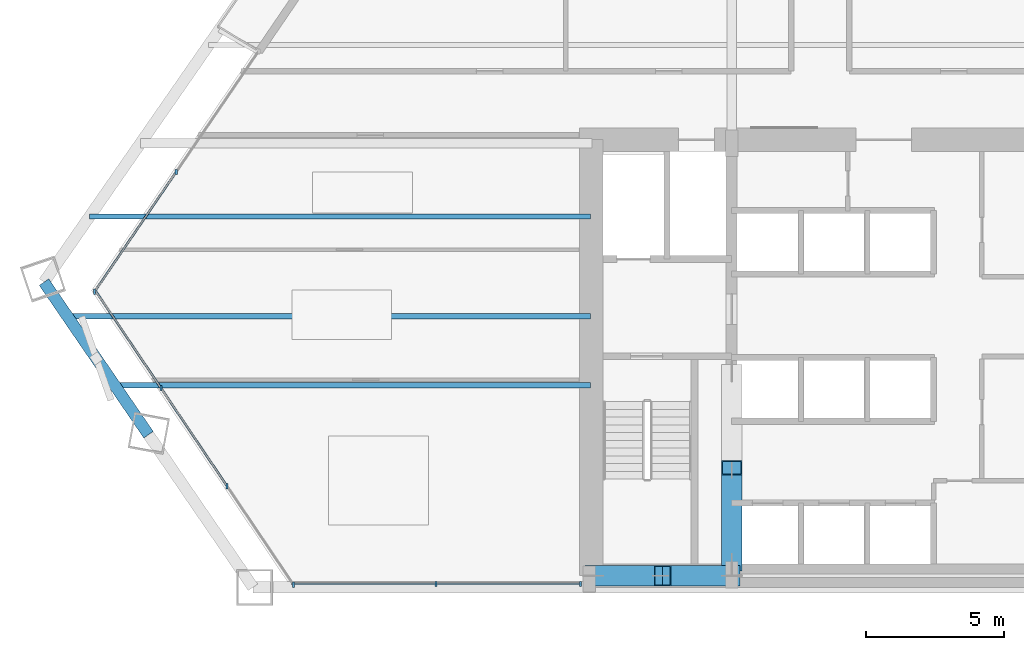
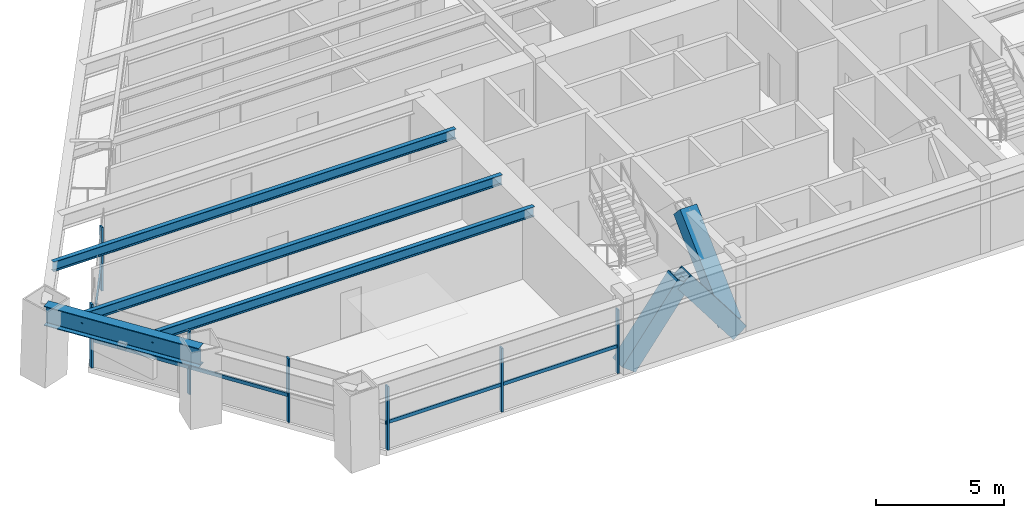
# One storey, part 2 of 14: 15 members, 4 beams, 3 elements without a shape of their own.
"""IFC4 building model written with IfcOpenShell, lengths in metres."""

from ifc_helpers import new_model, si_unit, direction, frame, origin, origin_2d, place, context, subcontext, project, spatial, rectangle, hollow_rectangle, i_section, extrude, source, transform, mapped, material, material_profile, profile_set, type_object, type_shapes, element, aggregate, save


model = new_model("IFC4")

# Units and contexts
model_context = context("Model", 3, precision=1e-05, world=origin(), true_north=direction((0.0, 1.0)))
body_context = subcontext(model_context, "Body", "Model", "MODEL_VIEW")
ifc_project = project(units=[si_unit("LENGTHUNIT", "METRE"), si_unit("AREAUNIT", "SQUARE_METRE"), si_unit("VOLUMEUNIT", "CUBIC_METRE"), si_unit("PLANEANGLEUNIT", "RADIAN"), si_unit("MASSUNIT", "GRAM", prefix="KILO")], contexts=[model_context])

# Site, building, storey
site_placement = place(None, origin())
site = spatial("IfcSite", under=ifc_project, at=site_placement, CompositionType="ELEMENT")
building_placement = place(site_placement, origin())
building = spatial("IfcBuilding", under=site, at=building_placement, Name="Varnakhor Terracotta Tower", CompositionType="ELEMENT")
storey_placement = place(building_placement, frame((0.0, 0.0, 42.300048828125)))
storey = spatial("IfcBuildingStorey", under=building, at=storey_placement, Name="L09", CompositionType="ELEMENT", Elevation=42.300048828125)

# Members
ifc_material_1 = material(Name="Steel S460", Category="steel")
ifc_material_profile_1 = material_profile(ifc_material_1, hollow_rectangle(XDim=0.75, YDim=0.75, WallThickness=0.044921875, at=origin_2d()), Name="HSS750X750X45")
ifc_profile_set_1 = profile_set([ifc_material_profile_1], Name="Steel S460")
member_type_1 = type_object("IfcMemberType", Name="MBR-MEGA-750", PredefinedType="BRACE", material=ifc_profile_set_1)
shared_shape_1 = source(origin(), body_context, "Body", "SweptSolid", [
    extrude(hollow_rectangle(XDim=0.75, YDim=0.75, WallThickness=0.044921875, at=origin_2d()), origin(), (0.0, 0.0, 1.0), 4.14013671875),
])
type_shapes(member_type_1, [shared_shape_1])
for number, where, z_axis, x_axis, name in (
    (1, (-10.5, 0.419921875, 0.0), (0.603852011179, 0.0, 0.797096448741), (0.0, 1.0, 0.0), "L09 Core Coupled Brace CSWA"),
    (2, (-5.5, 0.419921875, 0.0), (-0.603852011179, 0.0, 0.797096448741), (0.0, -1.0, 0.0), "L09 Core Coupled Brace CSWB"),
):
    element("IfcMember", number, at=place(storey_placement, frame(where, z_axis=z_axis, x_axis=x_axis)), inside=storey, type_object=member_type_1, Name=name, PredefinedType="BRACE", context=body_context, shape_type="MappedRepresentation", body=[
        mapped(shared_shape_1, transform((0.0, 0.0, 0.0), scale=1.0)),
    ])
shared_shape_2 = source(origin(), body_context, "Body", "SweptSolid", [
    extrude(hollow_rectangle(XDim=0.75, YDim=0.75, WallThickness=0.044921875, at=origin_2d()), origin(), (0.0, 0.0, 1.0), 4.792236328125),
])
member_1_placement = place(storey_placement, frame((-5.5, 0.85009765625, 0.0), z_axis=(0.0, 0.725110085518, 0.688632967466), x_axis=(-1.0, 0.0, 0.0)))
element("IfcMember", 3, at=member_1_placement, inside=storey, type_object=member_type_1, Name="L09 Core Coupled Brace CWWA", PredefinedType="BRACE", context=body_context, shape_type="MappedRepresentation", body=[
    mapped(shared_shape_2, transform((0.0, 0.0, 0.0), scale=1.0)),
])

# Beams
ifc_material_2 = material(Name="Steel S355", Category="steel")
ifc_material_profile_2 = material_profile(ifc_material_2, i_section(OverallWidth=0.41796875, OverallDepth=0.927001953125, WebThickness=0.01904296875, FlangeThickness=0.031982421875, FilletRadius=0.01806640625, at=origin_2d()), Name="W36X231")
ifc_profile_set_2 = profile_set([ifc_material_profile_2], Name="Steel S355")
beam_type_1 = type_object("IfcBeamType", Name="BM-W36X231", PredefinedType="BEAM", material=ifc_profile_set_2)
shared_shape_3 = source(origin(), body_context, "Body", "SweptSolid", [
    extrude(i_section(OverallWidth=0.41796875, OverallDepth=0.927001953125, WebThickness=0.01904296875, FlangeThickness=0.031982421875, FilletRadius=0.01806640625, at=origin_2d()), origin(), (0.0, 0.0, 1.0), 6.684326171875),
])
beam_1_placement = place(storey_placement, frame((-30.353759765625, 11.029296875, 2.986572265625), z_axis=(0.565108077262, -0.82501688529, 0.0), x_axis=(0.82501688529, 0.565108077262, 0.0)))
element("IfcBeam", 4, at=beam_1_placement, inside=storey, type_object=beam_type_1, Name="L09 Perimeter Spandrel 7", PredefinedType="BEAM", context=body_context, shape_type="MappedRepresentation", body=[
    mapped(shared_shape_3, transform((0.0, 0.0, 0.0), scale=1.0)),
])
ifc_material_profile_3 = material_profile(ifc_material_2, i_section(OverallWidth=0.19189453125, OverallDepth=0.462890625, WebThickness=0.010498046875, FlangeThickness=0.017578125, FilletRadius=0.01806640625, at=origin_2d()), Name="W18X60")
ifc_profile_set_3 = profile_set([ifc_material_profile_3], Name="Steel S355")
beam_type_2 = type_object("IfcBeamType", Name="JST-W18X60", PredefinedType="JOIST", material=ifc_profile_set_3)
shared_shape_4 = source(origin(), body_context, "Body", "SweptSolid", [
    extrude(i_section(OverallWidth=0.19189453125, OverallDepth=0.462890625, WebThickness=0.010498046875, FlangeThickness=0.017578125, FilletRadius=0.01806640625, at=origin_2d()), origin(), (0.0, 0.0, 1.0), 17.19921875),
])
beam_2_placement = place(storey_placement, frame((-27.79931640625, 7.300048828125, 3.218505859375), z_axis=(1.0, 0.0, 0.0), x_axis=(0.0, 1.0, 0.0)))
element("IfcBeam", 5, at=beam_2_placement, inside=storey, type_object=beam_type_2, Name="L09 Floor Joist W1", PredefinedType="JOIST", context=body_context, shape_type="MappedRepresentation", body=[
    mapped(shared_shape_4, transform((0.0, 0.0, 0.0), scale=1.0)),
])
shared_shape_5 = source(origin(), body_context, "Body", "SweptSolid", [
    extrude(i_section(OverallWidth=0.19189453125, OverallDepth=0.462890625, WebThickness=0.010498046875, FlangeThickness=0.017578125, FilletRadius=0.01806640625, at=origin_2d()), origin(), (0.0, 0.0, 1.0), 18.91162109375),
])
beam_3_placement = place(storey_placement, frame((-29.51171875, 9.800048828125, 3.218505859375), z_axis=(1.0, 0.0, 0.0), x_axis=(0.0, 1.0, 0.0)))
element("IfcBeam", 6, at=beam_3_placement, inside=storey, type_object=beam_type_2, Name="L09 Floor Joist W2", PredefinedType="JOIST", context=body_context, shape_type="MappedRepresentation", body=[
    mapped(shared_shape_5, transform((0.0, 0.0, 0.0), scale=1.0)),
])
shared_shape_6 = source(origin(), body_context, "Body", "SweptSolid", [
    extrude(i_section(OverallWidth=0.19189453125, OverallDepth=0.462890625, WebThickness=0.010498046875, FlangeThickness=0.017578125, FilletRadius=0.01806640625, at=origin_2d()), origin(), (0.0, 0.0, 1.0), 18.106689453125),
])
beam_4_placement = place(storey_placement, frame((-28.706787109375, 13.39990234375, 3.218505859375), z_axis=(1.0, 0.0, 0.0), x_axis=(0.0, 1.0, 0.0)))
element("IfcBeam", 7, at=beam_4_placement, inside=storey, type_object=beam_type_2, Name="L09 Floor Joist W3", PredefinedType="JOIST", context=body_context, shape_type="MappedRepresentation", body=[
    mapped(shared_shape_6, transform((0.0, 0.0, 0.0), scale=1.0)),
])

# Curtain wall, members
ifc_material_3 = material(Name="Anodised Aluminium Curtain Wall System", Category="aluminium")
curtain_wall_type = type_object("IfcCurtainWallType", Name="CW-SYS-LOW-OFFICE", PredefinedType="NOTDEFINED", material=ifc_material_3)
curtain_wall_1_placement = place(storey_placement, origin())
curtain_wall_1 = element("IfcCurtainWall", 8, at=curtain_wall_1_placement, inside=storey, type_object=curtain_wall_type, Name="L09 W Facet Curtain Wall 1", PredefinedType="NOTDEFINED")
ifc_material_4 = material(Name="Anodised Aluminium 6063-T6", Category="aluminium")
ifc_material_profile_4 = material_profile(ifc_material_4, rectangle(XDim=0.074951171875, YDim=0.18505859375, at=origin_2d()), Name="ALU MULLION 75x185")
ifc_profile_set_4 = profile_set([ifc_material_profile_4], Name="Anodised Aluminium 6063-T6")
member_type_2 = type_object("IfcMemberType", Name="CWM-02", PredefinedType="MULLION", material=ifc_profile_set_4)
shared_shape_7 = source(origin(), body_context, "Body", "SweptSolid", [
    extrude(rectangle(XDim=0.074951171875, YDim=0.18505859375, at=origin_2d()), origin(), (0.0, 0.0, 1.0), 3.030029296875),
])
type_shapes(member_type_2, [shared_shape_7])
member_2_placement = place(storey_placement, frame((-28.5263671875, 10.6826171875, 0.0), z_axis=(0.0, 0.0, 1.0), x_axis=(1.0, 0.0, 0.0)))
member_2 = element("IfcMember", 9, at=member_2_placement, type_object=member_type_2, Name="L09 W Facet Curtain Wall 1 Mullion 1", PredefinedType="MULLION", context=body_context, shape_type="MappedRepresentation", body=[
    mapped(shared_shape_7, transform((0.0, 0.0, 0.0), scale=1.0)),
])
member_3_placement = place(storey_placement, frame((-25.5732421875, 15.015380859375, 0.0), z_axis=(0.0, 0.0, 1.0), x_axis=(1.0, 0.0, 0.0)))
member_3 = element("IfcMember", 10, at=member_3_placement, type_object=member_type_2, Name="L09 W Facet Curtain Wall 1 Mullion 2", PredefinedType="MULLION", context=body_context, shape_type="MappedRepresentation", body=[
    mapped(shared_shape_7, transform((0.0, 0.0, 0.0), scale=1.0)),
])

curtain_wall_2_placement = place(storey_placement, origin())
curtain_wall_2 = element("IfcCurtainWall", 11, at=curtain_wall_2_placement, inside=storey, type_object=curtain_wall_type, Name="L09 South Wing Curtain Wall SSW", PredefinedType="NOTDEFINED")
member_4_placement = place(storey_placement, frame((-10.969970703125, 0.1201171875, 0.0), z_axis=(0.0, 0.0, 1.0), x_axis=(1.0, 0.0, 0.0)))
member_4 = element("IfcMember", 12, at=member_4_placement, type_object=member_type_2, Name="L09 South Wing Curtain Wall SSW Mullion 1", PredefinedType="MULLION", context=body_context, shape_type="MappedRepresentation", body=[
    mapped(shared_shape_7, transform((0.0, 0.0, 0.0), scale=1.0)),
])
member_5_placement = place(storey_placement, frame((-16.18994140625, 0.1201171875, 0.0), z_axis=(0.0, 0.0, 1.0), x_axis=(1.0, 0.0, 0.0)))
member_5 = element("IfcMember", 13, at=member_5_placement, type_object=member_type_2, Name="L09 South Wing Curtain Wall SSW Mullion 2", PredefinedType="MULLION", context=body_context, shape_type="MappedRepresentation", body=[
    mapped(shared_shape_7, transform((0.0, 0.0, 0.0), scale=1.0)),
])

curtain_wall_3_placement = place(storey_placement, origin())
curtain_wall_3 = element("IfcCurtainWall", 14, at=curtain_wall_3_placement, inside=storey, type_object=curtain_wall_type, Name="L09 Facet Curtain Wall 6", PredefinedType="NOTDEFINED")
member_6_placement = place(storey_placement, frame((-21.337158203125, 0.091796875, 0.0), z_axis=(0.0, 0.0, 1.0), x_axis=(1.0, 0.0, 0.0)))
member_6 = element("IfcMember", 15, at=member_6_placement, type_object=member_type_2, Name="L09 Facet Curtain Wall 6 Mullion 1", PredefinedType="MULLION", context=body_context, shape_type="MappedRepresentation", body=[
    mapped(shared_shape_7, transform((0.0, 0.0, 0.0), scale=1.0)),
])
member_7_placement = place(storey_placement, frame((-23.733642578125, 3.650390625, 0.0), z_axis=(0.0, 0.0, 1.0), x_axis=(1.0, 0.0, 0.0)))
member_7 = element("IfcMember", 16, at=member_7_placement, type_object=member_type_2, Name="L09 Facet Curtain Wall 6 Mullion 2", PredefinedType="MULLION", context=body_context, shape_type="MappedRepresentation", body=[
    mapped(shared_shape_7, transform((0.0, 0.0, 0.0), scale=1.0)),
])
member_8_placement = place(storey_placement, frame((-26.1298828125, 7.208984375, 0.0), z_axis=(0.0, 0.0, 1.0), x_axis=(1.0, 0.0, 0.0)))
member_8 = element("IfcMember", 17, at=member_8_placement, type_object=member_type_2, Name="L09 Facet Curtain Wall 6 Mullion 3", PredefinedType="MULLION", context=body_context, shape_type="MappedRepresentation", body=[
    mapped(shared_shape_7, transform((0.0, 0.0, 0.0), scale=1.0)),
])

# Member
ifc_material_profile_5 = material_profile(ifc_material_4, rectangle(XDim=0.074951171875, YDim=0.1650390625, at=origin_2d()), Name="ALU TRANSOM 75x165")
ifc_profile_set_5 = profile_set([ifc_material_profile_5], Name="Anodised Aluminium 6063-T6")
member_type_3 = type_object("IfcMemberType", Name="CWT-02", PredefinedType="USERDEFINED", material=ifc_profile_set_5)
shared_shape_8 = source(origin(), body_context, "Body", "SweptSolid", [
    extrude(rectangle(XDim=0.074951171875, YDim=0.1650390625, at=origin_2d()), origin(), (0.0, 0.0, 1.0), 5.243408203125),
])
member_9_placement = place(storey_placement, frame((-28.5263671875, 10.6826171875, 1.2724609375), z_axis=(0.563202453431, 0.826318943538, 0.0), x_axis=(-0.826318943538, 0.563202453431, 0.0)))
member_9 = element("IfcMember", 18, at=member_9_placement, type_object=member_type_3, Name="L09 W Facet Curtain Wall 1 Transom 1", ObjectType="TRANSOM", PredefinedType="USERDEFINED", context=body_context, shape_type="MappedRepresentation", body=[
    mapped(shared_shape_8, transform((0.0, 0.0, 0.0), scale=1.0)),
])

aggregate(curtain_wall_1, [member_2, member_9, member_3])

shared_shape_9 = source(origin(), body_context, "Body", "SweptSolid", [
    extrude(rectangle(XDim=0.074951171875, YDim=0.1650390625, at=origin_2d()), origin(), (0.0, 0.0, 1.0), 5.219970703125),
])
member_10_placement = place(storey_placement, frame((-10.969970703125, 0.1201171875, 1.2724609375), z_axis=(-1.0, 0.0, 0.0), x_axis=(0.0, -1.0, 0.0)))
member_10 = element("IfcMember", 19, at=member_10_placement, type_object=member_type_3, Name="L09 South Wing Curtain Wall SSW Transom 1", ObjectType="TRANSOM", PredefinedType="USERDEFINED", context=body_context, shape_type="MappedRepresentation", body=[
    mapped(shared_shape_9, transform((0.0, 0.0, 0.0), scale=1.0)),
])

member_11_placement = place(storey_placement, frame((-16.18994140625, 0.1201171875, 1.2724609375), z_axis=(-1.0, 0.0, 0.0), x_axis=(0.0, -1.0, 0.0)))
member_11 = element("IfcMember", 20, at=member_11_placement, type_object=member_type_3, Name="L09 South Wing Curtain Wall SSW Transom 2", ObjectType="TRANSOM", PredefinedType="USERDEFINED", context=body_context, shape_type="MappedRepresentation", body=[
    mapped(shared_shape_9, transform((0.0, 0.0, 0.0), scale=1.0)),
])

aggregate(curtain_wall_2, [member_4, member_10, member_5, member_11])

shared_shape_10 = source(origin(), body_context, "Body", "SweptSolid", [
    extrude(rectangle(XDim=0.074951171875, YDim=0.1650390625, at=origin_2d()), origin(), (0.0, 0.0, 1.0), 4.290283203125),
])
member_12_placement = place(storey_placement, frame((-23.733642578125, 3.650390625, 1.2724609375), z_axis=(-0.558542052515, 0.829476205549, 0.0), x_axis=(-0.829476205549, -0.558542052515, 0.0)))
member_12 = element("IfcMember", 21, at=member_12_placement, type_object=member_type_3, Name="L09 Facet Curtain Wall 6 Transom 2", ObjectType="TRANSOM", PredefinedType="USERDEFINED", context=body_context, shape_type="MappedRepresentation", body=[
    mapped(shared_shape_10, transform((0.0, 0.0, 0.0), scale=1.0)),
])

member_13_placement = place(storey_placement, frame((-26.1298828125, 7.208984375, 1.2724609375), z_axis=(-0.558542052515, 0.829476205549, 0.0), x_axis=(-0.829476205549, -0.558542052515, 0.0)))
member_13 = element("IfcMember", 22, at=member_13_placement, type_object=member_type_3, Name="L09 Facet Curtain Wall 6 Transom 3", ObjectType="TRANSOM", PredefinedType="USERDEFINED", context=body_context, shape_type="MappedRepresentation", body=[
    mapped(shared_shape_10, transform((0.0, 0.0, 0.0), scale=1.0)),
])

aggregate(curtain_wall_3, [member_6, member_7, member_12, member_8, member_13])

save(model, "model.ifc")
